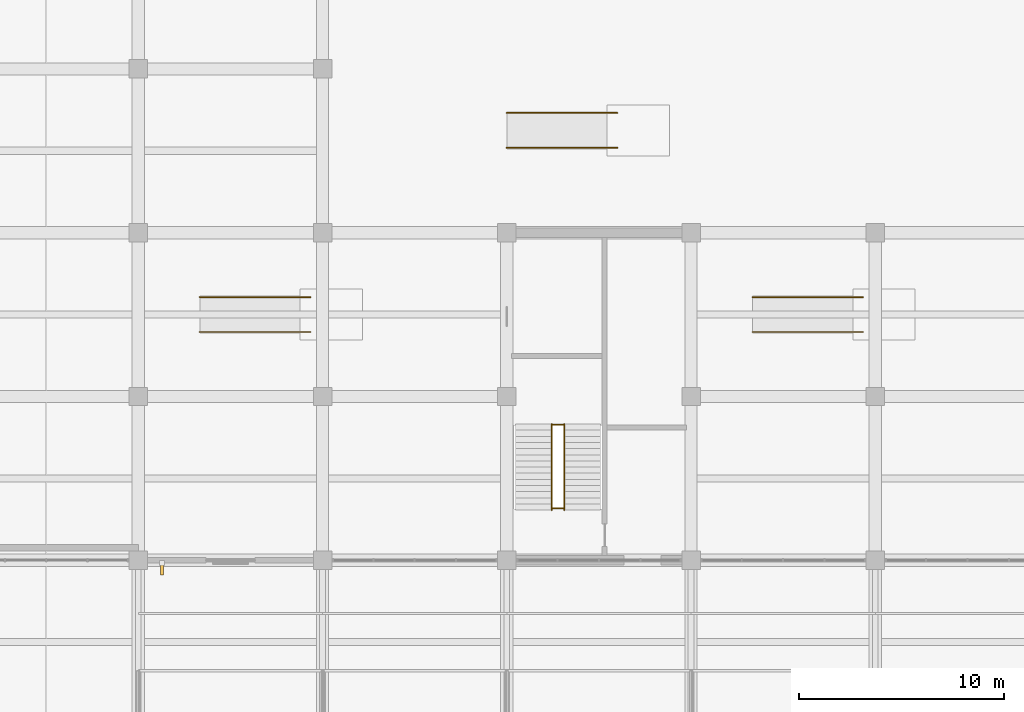
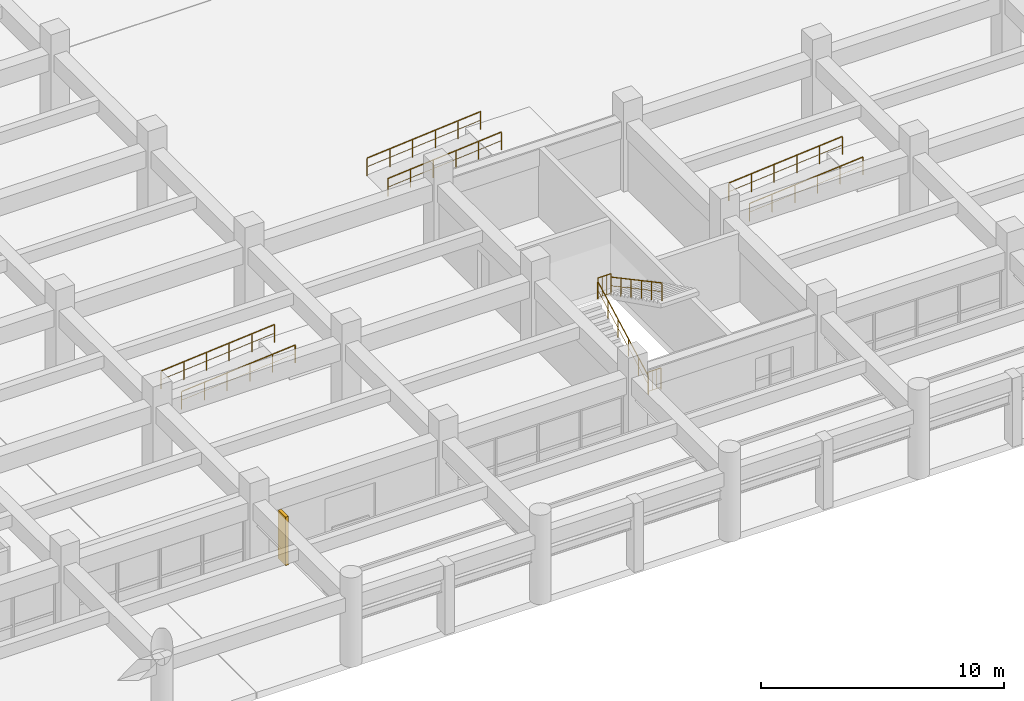
# One storey, part 35 of 40: 10 railings, 1 shading device.
"""IFC4 building model written with IfcOpenShell, lengths in metres."""

from ifc_helpers import new_model, si_unit, direction, frame, frame_2d, origin, origin_2d, place, context, subcontext, project, spatial, rectangle, circle, extrude, material, layer, layer_set, type_object, element, save


model = new_model("IFC4")

# Units and contexts
model_context = context("Model", 3, precision=1e-05, world=origin(), true_north=direction((0.0, 1.0)))
body_context = subcontext(model_context, "Body", "Model", "MODEL_VIEW")
ifc_project = project(units=[si_unit("LENGTHUNIT", "METRE"), si_unit("AREAUNIT", "SQUARE_METRE"), si_unit("VOLUMEUNIT", "CUBIC_METRE"), si_unit("PLANEANGLEUNIT", "RADIAN"), si_unit("MASSUNIT", "GRAM", prefix="KILO")], contexts=[model_context])

# Site, building, storey
site_placement = place(None, origin())
site = spatial("IfcSite", under=ifc_project, at=site_placement, CompositionType="ELEMENT")
building_placement = place(site_placement, origin())
building = spatial("IfcBuilding", under=site, at=building_placement, Name="Zaverband Oceanarium and Marine Research Institute", CompositionType="ELEMENT")
storey_placement = place(building_placement, origin())
storey = spatial("IfcBuildingStorey", under=building, at=storey_placement, Name="L00", CompositionType="ELEMENT", Elevation=0.0)

# Railings
ifc_material_1 = material(Name="Steel S355", Category="steel")
ifc_layer_1 = layer(ifc_material_1, 0.06005859375, Name="Steel S355")
ifc_layer_set_1 = layer_set([ifc_layer_1], Name="Steel S355")
railing_type_1 = type_object("IfcRailingType", Name="GRD-1100", PredefinedType="BALUSTRADE", material=ifc_layer_set_1)
for number, where, name in (
    (1, (83.18994140625, 14.6298828125, 2.25), "1100 mm steel post-and-baluster safety guard GRD-1100"),
    (2, (83.18994140625, 10.530029296875, 0.0), "1100 mm steel post-and-baluster safety guard GRD-1100"),
):
    element("IfcRailing", number, at=place(storey_placement, frame(where)), inside=storey, type_object=railing_type_1, Name=name, PredefinedType="BALUSTRADE", context=body_context, shape_type="SweptSolid", body=[
        extrude(circle(Radius=0.02392578125, at=origin_2d()), frame((0.0, 0.0, 1.076171875), z_axis=(1.0, 0.0, 0.0), x_axis=(0.0, 1.0, 0.0)), (0.0, 0.0, 1.0), 0.6201171875),
        extrude(circle(Radius=0.009033203125, at=origin_2d()), frame((0.0, 0.0, 0.10009765625), z_axis=(1.0, 0.0, 0.0), x_axis=(0.0, 1.0, 0.0)), (0.0, 0.0, 1.0), 0.6201171875),
        extrude(circle(Radius=0.009033203125, at=origin_2d()), frame((0.206787109375, 0.0, 0.10009765625)), (0.0, 0.0, 1.0), 0.951904296875),
        extrude(circle(Radius=0.009033203125, at=origin_2d()), frame((0.413330078125, 0.0, 0.10009765625)), (0.0, 0.0, 1.0), 0.951904296875),
        extrude(circle(Radius=0.02099609375, at=origin_2d()), origin(), (0.0, 0.0, 1.0), 1.052001953125),
        extrude(circle(Radius=0.02099609375, at=origin_2d()), frame((0.6201171875, 0.0, 0.0)), (0.0, 0.0, 1.0), 1.052001953125),
    ])
ifc_layer_2 = layer(ifc_material_1, 0.050048828125, Name="Steel S355")
ifc_layer_set_2 = layer_set([ifc_layer_2], Name="Steel S355")
railing_type_2 = type_object("IfcRailingType", Name="HR-920", PredefinedType="HANDRAIL", material=ifc_layer_set_2)
railing_1_placement = place(storey_placement, frame((83.18994140625, 10.449951171875, 0.0)))
element("IfcRailing", 3, at=railing_1_placement, inside=storey, type_object=railing_type_2, Name="920 mm continuous tubular stair and ramp handrail HR-920", PredefinedType="HANDRAIL", context=body_context, shape_type="SweptSolid", body=[
    extrude(circle(Radius=0.02392578125, at=origin_2d()), frame((0.0, 0.0, 0.89599609375), z_axis=(0.0, 0.881477684796, 0.472225678258), x_axis=(-1.0, 0.0, 0.0)), (0.0, 0.0, 1.0), 4.7646484375),
    extrude(circle(Radius=0.009033203125, at=origin_2d()), frame((0.0, 0.0, 0.4599609375), z_axis=(0.0, 0.881477684796, 0.472225678258), x_axis=(-1.0, 0.0, 0.0)), (0.0, 0.0, 1.0), 4.7646484375),
    extrude(circle(Radius=0.02099609375, at=origin_2d()), origin(), (0.0, 0.0, 1.0), 0.871826171875),
    extrude(circle(Radius=0.02099609375, at=origin_2d()), frame((0.0, 0.840087890625, 0.449951171875)), (0.0, 0.0, 1.0), 0.871826171875),
    extrude(circle(Radius=0.02099609375, at=origin_2d()), frame((0.0, 1.679931640625, 0.89990234375)), (0.0, 0.0, 1.0), 0.871826171875),
    extrude(circle(Radius=0.02099609375, at=origin_2d()), frame((0.0, 2.52001953125, 1.35009765625)), (0.0, 0.0, 1.0), 0.871826171875),
    extrude(circle(Radius=0.02099609375, at=origin_2d()), frame((0.0, 3.35986328125, 1.800048828125)), (0.0, 0.0, 1.0), 0.871826171875),
    extrude(circle(Radius=0.02099609375, at=origin_2d()), frame((0.0, 4.199951171875, 2.25)), (0.0, 0.0, 1.0), 0.871826171875),
])
railing_2_placement = place(storey_placement, frame((83.81005859375, 14.64990234375, 2.25)))
element("IfcRailing", 4, at=railing_2_placement, inside=storey, type_object=railing_type_2, Name="920 mm continuous tubular stair and ramp handrail HR-920", PredefinedType="HANDRAIL", context=body_context, shape_type="SweptSolid", body=[
    extrude(circle(Radius=0.02392578125, at=origin_2d()), frame((0.0, 0.0, 0.89599609375), z_axis=(0.0, -0.881477684796, 0.472225678258), x_axis=(1.0, 0.0, 0.0)), (0.0, 0.0, 1.0), 4.7646484375),
    extrude(circle(Radius=0.009033203125, at=origin_2d()), frame((0.0, 0.0, 0.4599609375), z_axis=(0.0, -0.881477684796, 0.472225678258), x_axis=(1.0, 0.0, 0.0)), (0.0, 0.0, 1.0), 4.7646484375),
    extrude(circle(Radius=0.02099609375, at=origin_2d()), origin(), (0.0, 0.0, 1.0), 0.871826171875),
    extrude(circle(Radius=0.02099609375, at=origin_2d()), frame((0.0, -0.840087890625, 0.449951171875)), (0.0, 0.0, 1.0), 0.871826171875),
    extrude(circle(Radius=0.02099609375, at=origin_2d()), frame((0.0, -1.679931640625, 0.89990234375)), (0.0, 0.0, 1.0), 0.871826171875),
    extrude(circle(Radius=0.02099609375, at=origin_2d()), frame((0.0, -2.52001953125, 1.35009765625)), (0.0, 0.0, 1.0), 0.871826171875),
    extrude(circle(Radius=0.02099609375, at=origin_2d()), frame((0.0, -3.35986328125, 1.800048828125)), (0.0, 0.0, 1.0), 0.871826171875),
    extrude(circle(Radius=0.02099609375, at=origin_2d()), frame((0.0, -4.199951171875, 2.25)), (0.0, 0.0, 1.0), 0.871826171875),
])
for number, where, name in (
    (5, (66.0, 20.85009765625, 0.0), "920 mm continuous tubular stair and ramp handrail HR-920"),
    (6, (66.0, 19.14990234375, 0.0), "920 mm continuous tubular stair and ramp handrail HR-920"),
    (7, (81.0, 29.85009765625, 0.0), "920 mm continuous tubular stair and ramp handrail HR-920"),
    (8, (81.0, 28.14990234375, 0.0), "920 mm continuous tubular stair and ramp handrail HR-920"),
    (9, (93.0, 20.85009765625, 0.0), "920 mm continuous tubular stair and ramp handrail HR-920"),
    (10, (93.0, 19.14990234375, 0.0), "920 mm continuous tubular stair and ramp handrail HR-920"),
):
    element("IfcRailing", number, at=place(storey_placement, frame(where)), inside=storey, type_object=railing_type_2, Name=name, PredefinedType="HANDRAIL", context=body_context, shape_type="SweptSolid", body=[
        extrude(circle(Radius=0.02392578125, at=origin_2d()), frame((0.0, 0.0, 0.89599609375), z_axis=(0.996546379678, 0.0, 0.083038022323), x_axis=(0.0, 1.0, 0.0)), (0.0, 0.0, 1.0), 5.418701171875),
        extrude(circle(Radius=0.009033203125, at=origin_2d()), frame((0.0, 0.0, 0.4599609375), z_axis=(0.996546379678, 0.0, 0.083038022323), x_axis=(0.0, 1.0, 0.0)), (0.0, 0.0, 1.0), 5.418701171875),
        extrude(circle(Radius=0.02099609375, at=origin_2d()), origin(), (0.0, 0.0, 1.0), 0.871826171875),
        extrude(circle(Radius=0.02099609375, at=origin_2d()), frame((1.080078125, 0.0, 0.090087890625)), (0.0, 0.0, 1.0), 0.871826171875),
        extrude(circle(Radius=0.02099609375, at=origin_2d()), frame((2.159912109375, 0.0, 0.179931640625)), (0.0, 0.0, 1.0), 0.871826171875),
        extrude(circle(Radius=0.02099609375, at=origin_2d()), frame((3.239990234375, 0.0, 0.27001953125)), (0.0, 0.0, 1.0), 0.871826171875),
        extrude(circle(Radius=0.02099609375, at=origin_2d()), frame((4.31982421875, 0.0, 0.35986328125)), (0.0, 0.0, 1.0), 0.871826171875),
        extrude(circle(Radius=0.02099609375, at=origin_2d()), frame((5.39990234375, 0.0, 0.449951171875)), (0.0, 0.0, 1.0), 0.871826171875),
    ])

# Shading device
ifc_material_2 = material(Name="Concrete C40/50 precast brise-soleil", Category="concrete")
ifc_layer_3 = layer(ifc_material_2, 0.139892578125, Name="Concrete C40/50 precast brise-soleil")
ifc_layer_set_3 = layer_set([ifc_layer_3], Name="Concrete C40/50 precast brise-soleil")
shading_device_type = type_object("IfcShadingDeviceType", Name="SHD-FIN-600", PredefinedType="JALOUSIE", material=ifc_layer_set_3)
shading_device_placement = place(storey_placement, frame((64.155029296875, 7.887451171875, 0.0), z_axis=(0.0, 0.0, 1.0), x_axis=(0.0, -1.0, 0.0)))
element("IfcShadingDevice", 11, at=shading_device_placement, inside=storey, type_object=shading_device_type, Name="600 mm vertical precast brise-soleil fin SHD-FIN-600", PredefinedType="JALOUSIE", context=body_context, shape_type="SweptSolid", body=[
    extrude(rectangle(XDim=0.599853515625, YDim=0.139892578125, at=frame_2d((0.2998046875, 0.0))), origin(), (0.0, 0.0, 1.0), 2.43994140625),
])

save(model, "model.ifc")
